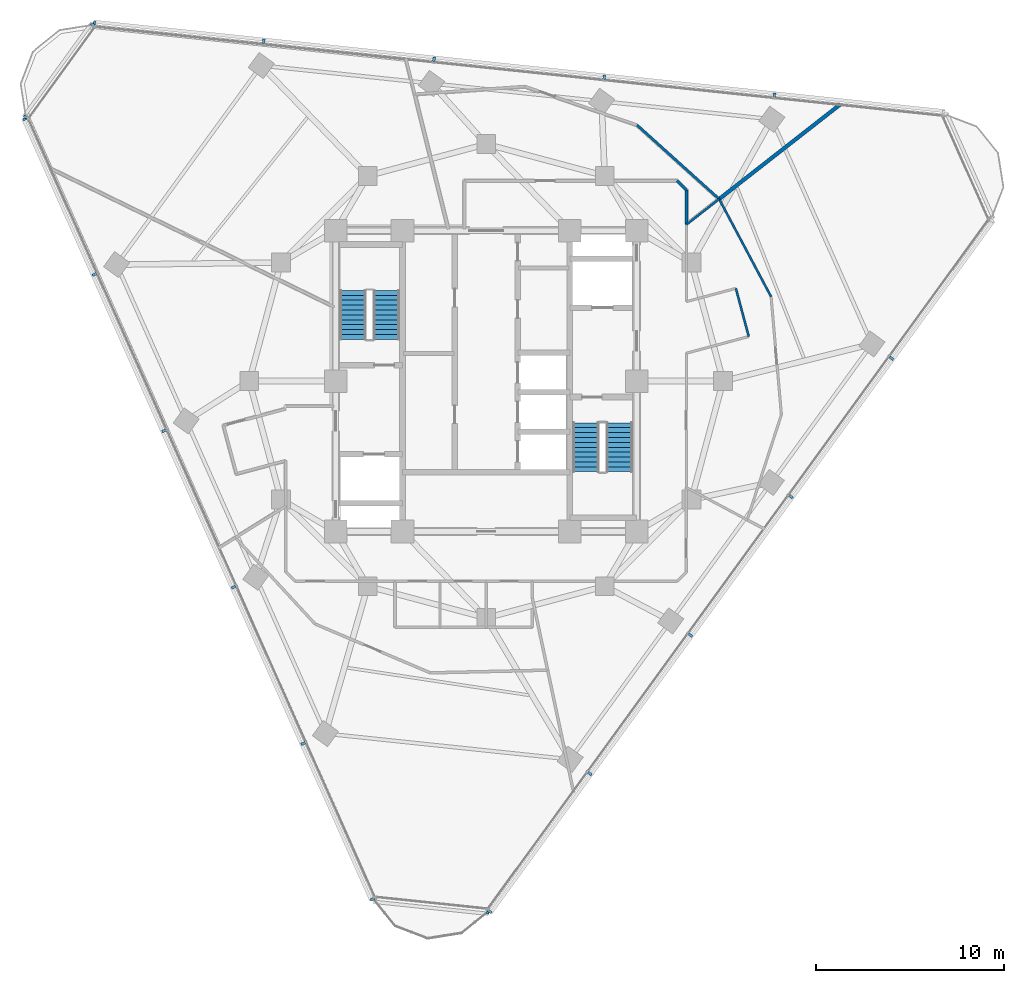
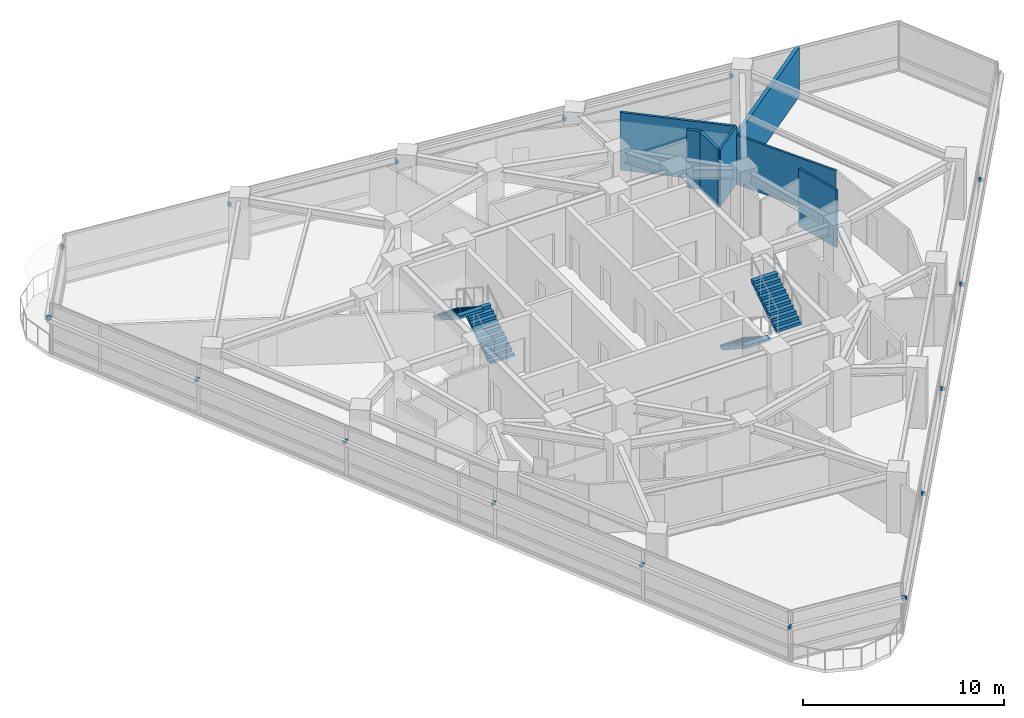
# One storey, part 10 of 14: 19 discrete accessories, 7 walls, 4 stair flights, 2 elements without a shape of their own.
"""IFC4 building model written with IfcOpenShell, lengths in metres."""

from ifc_helpers import new_model, si_unit, direction, frame, frame_2d, origin, origin_2d, place, context, subcontext, project, spatial, polyline, rectangle, outline, extrude, material, layer, layer_set, type_object, element, aggregate, save


model = new_model("IFC4")

# Units and contexts
model_context = context("Model", 3, precision=1e-05, world=origin(), true_north=direction((0.0, 1.0)))
body_context = subcontext(model_context, "Body", "Model", "MODEL_VIEW")
ifc_project = project(units=[si_unit("LENGTHUNIT", "METRE"), si_unit("AREAUNIT", "SQUARE_METRE"), si_unit("VOLUMEUNIT", "CUBIC_METRE"), si_unit("PLANEANGLEUNIT", "RADIAN"), si_unit("MASSUNIT", "GRAM", prefix="KILO")], contexts=[model_context])

# Site, building, storey
site_placement = place(None, origin())
site = spatial("IfcSite", under=ifc_project, at=site_placement, CompositionType="ELEMENT")
building_placement = place(site_placement, origin())
building = spatial("IfcBuilding", under=site, at=building_placement, Name="Terralouvre Media Tower", CompositionType="ELEMENT")
storey_placement = place(building_placement, frame((0.0, 0.0, 218.89990234375)))
storey = spatial("IfcBuildingStorey", under=building, at=storey_placement, Name="L56", CompositionType="ELEMENT", Elevation=218.89990234375)

# Walls
ifc_material_1 = material(Name="Fire-rated gypsum board drywall partition")
ifc_layer_1 = layer(ifc_material_1, 0.199951171875, Name="Fire-Rated Shaft and Lobby Partition FW-200")
ifc_layer_set_1 = layer_set([ifc_layer_1], Name="Fire-rated gypsum board drywall partition")
wall_type_1 = type_object("IfcWallType", Name="Fire-Rated Shaft and Lobby Partition FW-200", PredefinedType="SOLIDWALL", material=ifc_layer_set_1)
wall_1_placement = place(storey_placement, frame((18.836181640625, 14.71630859375, 0.0), z_axis=(0.0, 0.0, 1.0), x_axis=(-0.78799903942, -0.615676468507, 0.0)))
element("IfcWall", 1, at=wall_1_placement, inside=storey, type_object=wall_type_1, Name="L56 Interior Partition 046", PredefinedType="SOLIDWALL", context=body_context, shape_type="SweptSolid", body=[
    extrude(rectangle(XDim=8.181884765625, YDim=0.199951171875, at=frame_2d((4.0908203125, 0.0))), origin(), (0.0, 0.0, 1.0), 2.985107421875),
])
ifc_material_2 = material(Name="Fire-rated gypsum board drywall partition")
ifc_layer_2 = layer(ifc_material_2, 0.135009765625, Name="Newsroom Acoustic Partition PT-135")
ifc_layer_set_2 = layer_set([ifc_layer_2], Name="Fire-rated gypsum board drywall partition")
wall_type_2 = type_object("IfcWallType", Name="Newsroom Acoustic Partition PT-135", PredefinedType="PARTITIONING", material=ifc_layer_set_2)
wall_2_placement = place(storey_placement, frame((8.01904296875, 13.614013671875, 0.0), z_axis=(0.0, 0.0, 1.0), x_axis=(0.743110388877, -0.669168850099, 0.0)))
element("IfcWall", 2, at=wall_2_placement, inside=storey, type_object=wall_type_2, Name="L56 Interior Partition 049", PredefinedType="PARTITIONING", context=body_context, shape_type="SweptSolid", body=[
    extrude(rectangle(XDim=5.880615234375, YDim=0.135009765625, at=frame_2d((2.9404296875, 0.0))), origin(), (0.0, 0.0, 1.0), 3.5),
])
ifc_material_3 = material(Name="Fire-rated gypsum board drywall partition")
ifc_layer_3 = layer(ifc_material_3, 0.114990234375, Name="Restroom and Pantry Partition PT-115")
ifc_layer_set_3 = layer_set([ifc_layer_3], Name="Fire-rated gypsum board drywall partition")
wall_type_3 = type_object("IfcWallType", Name="Restroom and Pantry Partition PT-115", PredefinedType="PARTITIONING", material=ifc_layer_set_3)
wall_3_placement = place(storey_placement, frame((13.9619140625, 2.368896484375, 0.0), z_axis=(0.0, 0.0, 1.0), x_axis=(-0.258413725385, 0.966034340245, 0.0)))
element("IfcWall", 3, at=wall_3_placement, inside=storey, type_object=wall_type_3, Name="L56 Interior Partition 008", PredefinedType="PARTITIONING", context=body_context, shape_type="SweptSolid", body=[
    extrude(rectangle(XDim=2.650146484375, YDim=0.114990234375, at=frame_2d((1.3251953125, 0.0))), origin(), (0.0, 0.0, 1.0), 3.5),
])
wall_4_placement = place(storey_placement, frame((15.14892578125, 4.487060546875, 0.0), z_axis=(0.0, 0.0, 1.0), x_axis=(-0.469396049876, 0.882987739643, 0.0)))
element("IfcWall", 4, at=wall_4_placement, inside=storey, type_object=wall_type_3, Name="L56 Interior Partition 030", PredefinedType="PARTITIONING", context=body_context, shape_type="SweptSolid", body=[
    extrude(rectangle(XDim=5.8798828125, YDim=0.114990234375, at=frame_2d((2.93994140625, 0.0))), origin(), (0.0, 0.0, 1.0), 2.985107421875),
])
wall_5_placement = place(storey_placement, frame((12.388916015625, 9.678955078125, 0.0), z_axis=(0.0, 0.0, 1.0), x_axis=(-0.788177008199, -0.615448619908, 0.0)))
element("IfcWall", 5, at=wall_5_placement, inside=storey, type_object=wall_type_3, Name="L56 Interior Partition 031", PredefinedType="PARTITIONING", context=body_context, shape_type="SweptSolid", body=[
    extrude(rectangle(XDim=2.206298828125, YDim=0.114990234375, at=frame_2d((1.10302734375, 0.0))), origin(), (0.0, 0.0, 1.0), 3.5),
])
ifc_material_4 = material(Name="Fire-rated gypsum board drywall partition")
ifc_layer_4 = layer(ifc_material_4, 0.159912109375, Name="Studio Acoustic Rated Partition PT-160")
ifc_layer_set_4 = layer_set([ifc_layer_4], Name="Fire-rated gypsum board drywall partition")
wall_type_4 = type_object("IfcWallType", Name="Studio Acoustic Rated Partition PT-160", PredefinedType="PARTITIONING", material=ifc_layer_set_4)
wall_6_placement = place(storey_placement, frame((10.64990234375, 8.321044921875, 0.0), z_axis=(0.0, 0.0, 1.0), x_axis=(0.0, 1.0, 0.0)))
element("IfcWall", 6, at=wall_6_placement, inside=storey, type_object=wall_type_4, Name="L56 Interior Partition 020", PredefinedType="PARTITIONING", context=body_context, shape_type="SweptSolid", body=[
    extrude(rectangle(XDim=1.828857421875, YDim=0.159912109375, at=frame_2d((0.91455078125, 0.0))), origin(), (0.0, 0.0, 1.0), 3.5),
])
wall_7_placement = place(storey_placement, frame((10.64990234375, 10.14990234375, 0.0), z_axis=(0.0, 0.0, 1.0), x_axis=(-0.707106781187, 0.707106781187, 0.0)))
element("IfcWall", 7, at=wall_7_placement, inside=storey, type_object=wall_type_4, Name="L56 Interior Partition 021", PredefinedType="PARTITIONING", context=body_context, shape_type="SweptSolid", body=[
    extrude(rectangle(XDim=0.70703125, YDim=0.159912109375, at=frame_2d((0.353515625, 0.0))), origin(), (0.0, 0.0, 1.0), 3.5),
])

# Stair, stair flights
ifc_material_5 = material(Name="Concrete C45/55", Category="concrete")
stair_type_1 = type_object("IfcStairType", Name="Dogleg Stair Assembly ST-01", PredefinedType="HALF_TURN_STAIR", material=ifc_material_5)
stair_1_placement = place(storey_placement, origin())
stair_1 = element("IfcStair", 8, at=stair_1_placement, inside=storey, type_object=stair_type_1, Name="L56 Core Pressurised Exit Stair ST-01", PredefinedType="HALF_TURN_STAIR")
ifc_material_6 = material(Name="Concrete C45/55", Category="concrete")
stair_flight_type = type_object("IfcStairFlightType", Name="Reinforced Concrete Stair Flight SF-RC1", PredefinedType="STRAIGHT", material=ifc_material_6)
stair_flight_1_placement = place(storey_placement, frame((-5.300048828125, 2.219970703125, 0.0), z_axis=(0.0, 0.0, 1.0), x_axis=(0.0, 1.0, 0.0)))
stair_flight_1 = element("IfcStairFlight", 9, at=stair_flight_1_placement, type_object=stair_flight_type, Name="ST-01 flight 1", NumberOfRisers=11, NumberOfTreads=10, PredefinedType="STRAIGHT", RiserHeight=0.168181818, TreadLength=0.26, context=body_context, shape_type="SweptSolid", body=[
    extrude(outline(polyline([(0.0, 0.0), (0.0, 0.168212890625), (0.260009765625, 0.168212890625), (0.260009765625, 0.33642578125), (0.52001953125, 0.33642578125), (0.52001953125, 0.504638671875), (0.780029296875, 0.504638671875), (0.780029296875, 0.672607421875), (1.0400390625, 0.672607421875), (1.0400390625, 0.8408203125), (1.300048828125, 0.8408203125), (1.300048828125, 1.009033203125), (1.56005859375, 1.009033203125), (1.56005859375, 1.17724609375), (1.820068359375, 1.17724609375), (1.820068359375, 1.345458984375), (2.080078125, 1.345458984375), (2.080078125, 1.513671875), (2.340087890625, 1.513671875), (2.340087890625, 1.681884765625), (2.60009765625, 1.681884765625), (2.60009765625, 1.85009765625), (2.60009765625, 1.503173828125), (0.27587890625, 0.0), (0.0, 0.0)])), frame((0.0, 0.699951171875, 0.0), z_axis=(0.0, -1.0, 0.0), x_axis=(1.0, 0.0, 0.0)), (0.0, 0.0, 1.0), 1.39990234375),
])
stair_flight_2_placement = place(storey_placement, frame((-7.080078125, 4.820068359375, 1.85009765625), z_axis=(0.0, 0.0, 1.0), x_axis=(0.0, -1.0, 0.0)))
stair_flight_2 = element("IfcStairFlight", 10, at=stair_flight_2_placement, type_object=stair_flight_type, Name="ST-01 flight 2", NumberOfRisers=11, NumberOfTreads=10, PredefinedType="STRAIGHT", RiserHeight=0.168181818, TreadLength=0.26, context=body_context, shape_type="SweptSolid", body=[
    extrude(outline(polyline([(0.0, 0.0), (0.0, 0.168212890625), (0.260009765625, 0.168212890625), (0.260009765625, 0.33642578125), (0.52001953125, 0.33642578125), (0.52001953125, 0.504638671875), (0.780029296875, 0.504638671875), (0.780029296875, 0.672607421875), (1.0400390625, 0.672607421875), (1.0400390625, 0.8408203125), (1.300048828125, 0.8408203125), (1.300048828125, 1.009033203125), (1.56005859375, 1.009033203125), (1.56005859375, 1.17724609375), (1.820068359375, 1.17724609375), (1.820068359375, 1.345458984375), (2.080078125, 1.345458984375), (2.080078125, 1.513671875), (2.340087890625, 1.513671875), (2.340087890625, 1.681884765625), (2.60009765625, 1.681884765625), (2.60009765625, 1.85009765625), (2.60009765625, 1.503173828125), (0.27587890625, 0.0), (0.0, 0.0)])), frame((0.0, 0.699951171875, 0.0), z_axis=(0.0, -1.0, 0.0), x_axis=(1.0, 0.0, 0.0)), (0.0, 0.0, 1.0), 1.39990234375),
])
aggregate(stair_1, [stair_flight_1, stair_flight_2])

ifc_material_7 = material(Name="Concrete C45/55", Category="concrete")
stair_type_2 = type_object("IfcStairType", Name="Dogleg Stair Assembly ST-02", PredefinedType="HALF_TURN_STAIR", material=ifc_material_7)
stair_2_placement = place(storey_placement, origin())
stair_2 = element("IfcStair", 11, at=stair_2_placement, inside=storey, type_object=stair_type_2, Name="L56 Core Pressurised Exit Stair ST-02", PredefinedType="HALF_TURN_STAIR")
stair_flight_3_placement = place(storey_placement, frame((5.300048828125, -2.219970703125, 0.0), z_axis=(0.0, 0.0, 1.0), x_axis=(0.0, -1.0, 0.0)))
stair_flight_3 = element("IfcStairFlight", 12, at=stair_flight_3_placement, type_object=stair_flight_type, Name="ST-02 flight 1", NumberOfRisers=11, NumberOfTreads=10, PredefinedType="STRAIGHT", RiserHeight=0.168181818, TreadLength=0.26, context=body_context, shape_type="SweptSolid", body=[
    extrude(outline(polyline([(0.0, 0.0), (0.0, 0.168212890625), (0.260009765625, 0.168212890625), (0.260009765625, 0.33642578125), (0.52001953125, 0.33642578125), (0.52001953125, 0.504638671875), (0.780029296875, 0.504638671875), (0.780029296875, 0.672607421875), (1.0400390625, 0.672607421875), (1.0400390625, 0.8408203125), (1.300048828125, 0.8408203125), (1.300048828125, 1.009033203125), (1.56005859375, 1.009033203125), (1.56005859375, 1.17724609375), (1.820068359375, 1.17724609375), (1.820068359375, 1.345458984375), (2.080078125, 1.345458984375), (2.080078125, 1.513671875), (2.340087890625, 1.513671875), (2.340087890625, 1.681884765625), (2.60009765625, 1.681884765625), (2.60009765625, 1.85009765625), (2.60009765625, 1.503173828125), (0.27587890625, 0.0), (0.0, 0.0)])), frame((0.0, 0.699951171875, 0.0), z_axis=(0.0, -1.0, 0.0), x_axis=(1.0, 0.0, 0.0)), (0.0, 0.0, 1.0), 1.39990234375),
])
stair_flight_4_placement = place(storey_placement, frame((7.080078125, -4.820068359375, 1.85009765625), z_axis=(0.0, 0.0, 1.0), x_axis=(0.0, 1.0, 0.0)))
stair_flight_4 = element("IfcStairFlight", 13, at=stair_flight_4_placement, type_object=stair_flight_type, Name="ST-02 flight 2", NumberOfRisers=11, NumberOfTreads=10, PredefinedType="STRAIGHT", RiserHeight=0.168181818, TreadLength=0.26, context=body_context, shape_type="SweptSolid", body=[
    extrude(outline(polyline([(0.0, 0.0), (0.0, 0.168212890625), (0.260009765625, 0.168212890625), (0.260009765625, 0.33642578125), (0.52001953125, 0.33642578125), (0.52001953125, 0.504638671875), (0.780029296875, 0.504638671875), (0.780029296875, 0.672607421875), (1.0400390625, 0.672607421875), (1.0400390625, 0.8408203125), (1.300048828125, 0.8408203125), (1.300048828125, 1.009033203125), (1.56005859375, 1.009033203125), (1.56005859375, 1.17724609375), (1.820068359375, 1.17724609375), (1.820068359375, 1.345458984375), (2.080078125, 1.345458984375), (2.080078125, 1.513671875), (2.340087890625, 1.513671875), (2.340087890625, 1.681884765625), (2.60009765625, 1.681884765625), (2.60009765625, 1.85009765625), (2.60009765625, 1.503173828125), (0.27587890625, 0.0), (0.0, 0.0)])), frame((0.0, 0.699951171875, 0.0), z_axis=(0.0, -1.0, 0.0), x_axis=(1.0, 0.0, 0.0)), (0.0, 0.0, 1.0), 1.39990234375),
])
aggregate(stair_2, [stair_flight_3, stair_flight_4])

# Discrete accessories
ifc_material_8 = material(Name="Anodised extruded aluminium 6063-T6", Category="aluminium")
discrete_accessory_type = type_object("IfcDiscreteAccessoryType", Name="Mullion Stand-Off Baguette Fixing Bracket BK-01", PredefinedType="BRACKET", material=ifc_material_8)
for number, where, z_axis, x_axis, name in (
    (14, (0.180419921875, -28.205322265625, 2.07421875), (0.0, 0.0, 1.0), (0.587785300879, 0.809016959074, 0.0), "CW-L56-F0 Baguette Outrigger Bracket 1.01"),
    (15, (5.50732421875, -20.87353515625, 2.07421875), (0.0, 0.0, 1.0), (0.587785300879, 0.809016959074, 0.0), "CW-L56-F0 Baguette Outrigger Bracket 1.02"),
    (16, (10.856201171875, -13.511474609375, 2.07421875), (0.0, 0.0, 1.0), (0.587785300879, 0.809016959074, 0.0), "CW-L56-F0 Baguette Outrigger Bracket 1.03"),
    (17, (16.205078125, -6.1494140625, 2.07421875), (0.0, 0.0, 1.0), (0.587785300879, 0.809016959074, 0.0), "CW-L56-F0 Baguette Outrigger Bracket 1.04"),
    (18, (21.553955078125, 1.212646484375, 2.07421875), (0.0, 0.0, 1.0), (0.587785300879, 0.809016959074, 0.0), "CW-L56-F0 Baguette Outrigger Bracket 1.05"),
    (19, (15.323486328125, 15.206298828125, 2.07421875), (0.0, 0.0, 1.0), (-0.994521885028, 0.104528561651, 0.0), "CW-L56-F1 Baguette Outrigger Bracket 1.02"),
    (20, (6.273193359375, 16.157470703125, 2.07421875), (0.0, 0.0, 1.0), (-0.994521885028, 0.104528561651, 0.0), "CW-L56-F1 Baguette Outrigger Bracket 1.03"),
    (21, (-2.77685546875, 17.108642578125, 2.07421875), (0.0, 0.0, 1.0), (-0.994521885028, 0.104528561651, 0.0), "CW-L56-F1 Baguette Outrigger Bracket 1.04"),
    (22, (-11.826904296875, 18.059814453125, 2.07421875), (0.0, 0.0, 1.0), (-0.994521885028, 0.104528561651, 0.0), "CW-L56-F1 Baguette Outrigger Bracket 1.05"),
    (23, (-20.83984375, 19.007080078125, 2.07421875), (0.0, 0.0, 1.0), (-0.994521885028, 0.104528561651, 0.0), "CW-L56-F1 Baguette Outrigger Bracket 1.06"),
    (24, (-24.516845703125, 13.9462890625, 2.07421875), (0.0, 0.0, 1.0), (0.406736679636, -0.913545441365, 0.0), "CW-L56-F2 Baguette Outrigger Bracket 1.01"),
    (25, (-20.830810546875, 5.667236328125, 2.07421875), (0.0, 0.0, 1.0), (0.406736679636, -0.913545441365, 0.0), "CW-L56-F2 Baguette Outrigger Bracket 1.02"),
    (26, (-17.12939453125, -2.64599609375, 2.07421875), (0.0, 0.0, 1.0), (0.406736679636, -0.913545441365, 0.0), "CW-L56-F2 Baguette Outrigger Bracket 1.03"),
    (27, (-13.42822265625, -10.959228515625, 2.07421875), (0.0, 0.0, 1.0), (0.406736679636, -0.913545441365, 0.0), "CW-L56-F2 Baguette Outrigger Bracket 1.04"),
    (28, (-9.726806640625, -19.2724609375, 2.07421875), (0.0, 0.0, 1.0), (0.406736679636, -0.913545441365, 0.0), "CW-L56-F2 Baguette Outrigger Bracket 1.05"),
    (29, (-6.040771484375, -27.551513671875, 2.07421875), (0.0, 0.0, 1.0), (0.406736679636, -0.913545441365, 0.0), "CW-L56-F2 Baguette Outrigger Bracket 1.06"),
    (30, (0.086669921875, -28.22802734375, 2.07421875), (0.0, 0.0, 1.0), (0.994521944551, -0.104527995322, 0.0), "CW-L56-C0 Baguette Outrigger Bracket 1.02"),
    (31, (-20.919677734375, 18.952880859375, 2.07421875), (0.0, 0.0, 1.0), (-0.58778588998, -0.809016531067, 0.0), "CW-L56-C2 Baguette Outrigger Bracket 1.01"),
    (32, (-24.48974609375, 14.0390625, 2.07421875), (0.0, 0.0, 1.0), (-0.58778588998, -0.809016531067, 0.0), "CW-L56-C2 Baguette Outrigger Bracket 1.02"),
):
    element("IfcDiscreteAccessory", number, at=place(storey_placement, frame(where, z_axis=z_axis, x_axis=x_axis)), inside=storey, type_object=discrete_accessory_type, Name=name, PredefinedType="BRACKET", context=body_context, shape_type="SweptSolid", body=[
        extrude(rectangle(XDim=0.139892578125, YDim=0.239990234375, at=origin_2d()), origin(), (0.0, 0.0, 1.0), 0.179931640625),
    ])

save(model, "model.ifc")
